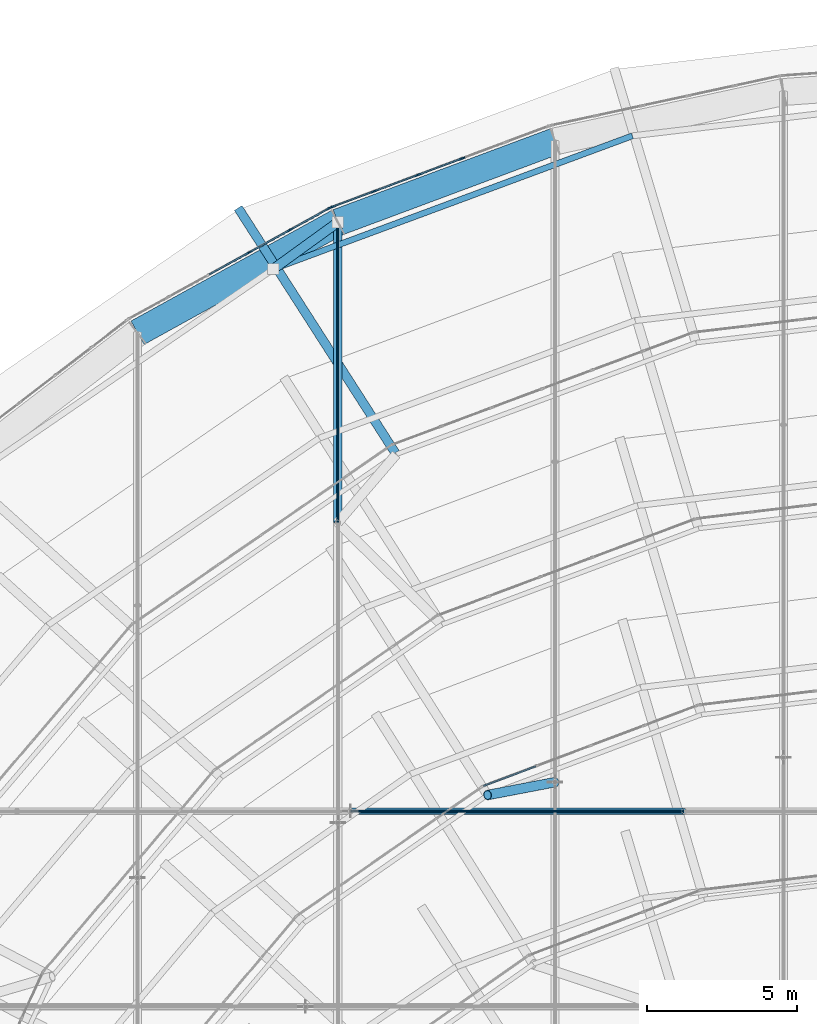
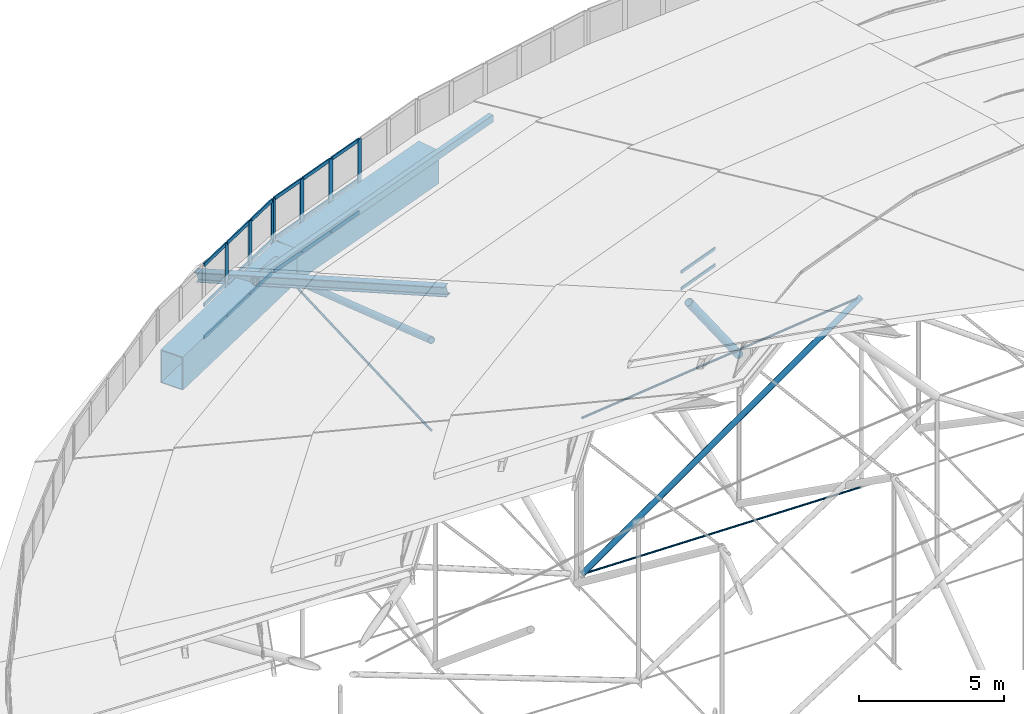
# One storey, part 106 of 173: 36 members, 2 beams, 3 elements without a shape of their own.
"""IFC4 building model written with IfcOpenShell, lengths in metres."""

from ifc_helpers import new_model, si_unit, direction, frame, origin, origin_2d, place, context, subcontext, project, spatial, rectangle, hollow_rectangle, circle, hollow_circle, i_section, extrude, material, material_profile, profile_set, type_object, element, aggregate, save


model = new_model("IFC4")

# Units and contexts
model_context = context("Model", 3, precision=1e-05, world=origin(), true_north=direction((0.0, 1.0)))
body_context = subcontext(model_context, "Body", "Model", "MODEL_VIEW")
ifc_project = project(units=[si_unit("LENGTHUNIT", "METRE"), si_unit("AREAUNIT", "SQUARE_METRE"), si_unit("VOLUMEUNIT", "CUBIC_METRE"), si_unit("PLANEANGLEUNIT", "RADIAN"), si_unit("MASSUNIT", "GRAM", prefix="KILO")], contexts=[model_context])

# Site, building, storey
site_placement = place(None, origin())
site = spatial("IfcSite", under=ifc_project, at=site_placement, CompositionType="ELEMENT")
building_placement = place(site_placement, origin())
building = spatial("IfcBuilding", under=site, at=building_placement, Name="Glasvene Arena", CompositionType="ELEMENT")
storey_placement = place(building_placement, frame((0.0, 0.0, 28.800048828125)))
storey = spatial("IfcBuildingStorey", under=building, at=storey_placement, Name="RF", CompositionType="ELEMENT", Elevation=28.800048828125)

# Beams
ifc_material_1 = material(Name="Steel S355J2", Category="steel")
ifc_material_profile_1 = material_profile(ifc_material_1, hollow_rectangle(XDim=0.89990234375, YDim=1.39990234375, WallThickness=0.034912109375, at=origin_2d()), Name="WBOX 900x1400x35")
ifc_profile_set_1 = profile_set([ifc_material_profile_1], Name="Steel S355J2")
beam_type = type_object("IfcBeamType", Name="BM-RING-BOX1400", PredefinedType="USERDEFINED", material=ifc_profile_set_1)
beam_1_placement = place(storey_placement, frame((76.54931640625, 115.797607421875, -0.699951171875), z_axis=(-0.937003141372, -0.349320931321, 0.0), x_axis=(0.349320931321, -0.937003141372, 0.0)))
element("IfcBeam", 1, at=beam_1_placement, inside=storey, type_object=beam_type, Name="Compression ring beam chord RB-13", ObjectType="RING BEAM", PredefinedType="USERDEFINED", context=body_context, shape_type="SweptSolid", body=[
    extrude(hollow_rectangle(XDim=0.89990234375, YDim=1.39990234375, WallThickness=0.034912109375, at=origin_2d()), origin(), (0.0, 0.0, 1.0), 7.736083984375),
])
beam_2_placement = place(storey_placement, frame((69.300537109375, 113.09521484375, -0.699951171875), z_axis=(-0.875663430497, -0.482921894813, 0.0), x_axis=(0.482921894813, -0.875663430497, 0.0)))
element("IfcBeam", 2, at=beam_2_placement, inside=storey, type_object=beam_type, Name="Compression ring beam chord RB-14", ObjectType="RING BEAM", PredefinedType="USERDEFINED", context=body_context, shape_type="SweptSolid", body=[
    extrude(hollow_rectangle(XDim=0.89990234375, YDim=1.39990234375, WallThickness=0.034912109375, at=origin_2d()), origin(), (0.0, 0.0, 1.0), 7.639892578125),
])

# Curtain wall, members
ifc_material_2 = material(Name="Low-emissivity laminated double glazing", Category="glass")
curtain_wall_type_1 = type_object("IfcCurtainWallType", Name="CW-DRUM-782x310", PredefinedType="USERDEFINED", material=ifc_material_2)
curtain_wall_1_placement = place(storey_placement, frame((76.379150390625, 116.320556640625, 0.0)))
curtain_wall_1 = element("IfcCurtainWall", 3, at=curtain_wall_1_placement, inside=storey, type_object=curtain_wall_type_1, Name="Crown compression-ring fascia curtain wall 13", ObjectType="CURTAIN WALL", PredefinedType="USERDEFINED")
ifc_material_3 = material(Name="Anodised architectural aluminium", Category="aluminium")
ifc_material_profile_2 = material_profile(ifc_material_3, rectangle(XDim=0.050048828125, YDim=0.199951171875, at=origin_2d()), Name="ALU MULLION 50x200")
ifc_profile_set_2 = profile_set([ifc_material_profile_2], Name="Anodised architectural aluminium")
member_type_1 = type_object("IfcMemberType", Name="CW-MUL-180", PredefinedType="MULLION", material=ifc_profile_set_2)
member_1_placement = place(storey_placement, frame((73.44775390625, 115.2265625, -1.380126953125), z_axis=(0.0, 0.0, 1.0), x_axis=(0.349682803856, -0.936868153311, 0.0)))
member_1 = element("IfcMember", 4, at=member_1_placement, type_object=member_type_1, Name="CW-078 mullion 3", PredefinedType="MULLION", context=body_context, shape_type="SweptSolid", body=[
    extrude(rectangle(XDim=0.050048828125, YDim=0.199951171875, at=origin_2d()), origin(), (0.0, 0.0, 1.0), 3.10009765625),
])
member_2_placement = place(storey_placement, frame((71.982177734375, 114.679443359375, -1.380126953125), z_axis=(0.0, 0.0, 1.0), x_axis=(0.349682803856, -0.936868153311, 0.0)))
member_2 = element("IfcMember", 5, at=member_2_placement, type_object=member_type_1, Name="CW-078 mullion 4", PredefinedType="MULLION", context=body_context, shape_type="SweptSolid", body=[
    extrude(rectangle(XDim=0.050048828125, YDim=0.199951171875, at=origin_2d()), origin(), (0.0, 0.0, 1.0), 3.10009765625),
])
member_3_placement = place(storey_placement, frame((70.5166015625, 114.13232421875, -1.380126953125), z_axis=(0.0, 0.0, 1.0), x_axis=(0.349682803856, -0.936868153311, 0.0)))
member_3 = element("IfcMember", 6, at=member_3_placement, type_object=member_type_1, Name="CW-078 mullion 5", PredefinedType="MULLION", context=body_context, shape_type="SweptSolid", body=[
    extrude(rectangle(XDim=0.050048828125, YDim=0.199951171875, at=origin_2d()), origin(), (0.0, 0.0, 1.0), 3.10009765625),
])
member_4_placement = place(storey_placement, frame((69.07421875, 113.593994140625, -1.380126953125), z_axis=(0.0, 0.0, 1.0), x_axis=(0.349682803856, -0.936868153311, 0.0)))
member_4 = element("IfcMember", 7, at=member_4_placement, type_object=member_type_1, Name="CW-078 mullion 6", PredefinedType="MULLION", context=body_context, shape_type="SweptSolid", body=[
    extrude(rectangle(XDim=0.050048828125, YDim=0.199951171875, at=origin_2d()), origin(), (0.0, 0.0, 1.0), 3.10009765625),
])

curtain_wall_type_2 = type_object("IfcCurtainWallType", Name="CW-DRUM-773x310", PredefinedType="USERDEFINED", material=ifc_material_2)
curtain_wall_2_placement = place(storey_placement, frame((69.05078125, 113.585205078125, 0.0)))
curtain_wall_2 = element("IfcCurtainWall", 8, at=curtain_wall_2_placement, inside=storey, type_object=curtain_wall_type_2, Name="Crown compression-ring fascia curtain wall 14", ObjectType="CURTAIN WALL", PredefinedType="USERDEFINED")
member_5_placement = place(storey_placement, frame((69.02880859375, 113.5732421875, -1.380126953125), z_axis=(0.0, 0.0, 1.0), x_axis=(0.483387319086, -0.875406591103, 0.0)))
member_5 = element("IfcMember", 9, at=member_5_placement, type_object=member_type_1, Name="CW-077 mullion 1", PredefinedType="MULLION", context=body_context, shape_type="SweptSolid", body=[
    extrude(rectangle(XDim=0.050048828125, YDim=0.199951171875, at=origin_2d()), origin(), (0.0, 0.0, 1.0), 3.10009765625),
])
member_6_placement = place(storey_placement, frame((67.6982421875, 112.83837890625, -1.380126953125), z_axis=(0.0, 0.0, 1.0), x_axis=(0.483387319086, -0.875406591103, 0.0)))
member_6 = element("IfcMember", 10, at=member_6_placement, type_object=member_type_1, Name="CW-077 mullion 2", PredefinedType="MULLION", context=body_context, shape_type="SweptSolid", body=[
    extrude(rectangle(XDim=0.050048828125, YDim=0.199951171875, at=origin_2d()), origin(), (0.0, 0.0, 1.0), 3.10009765625),
])
member_7_placement = place(storey_placement, frame((66.345458984375, 112.091552734375, -1.380126953125), z_axis=(0.0, 0.0, 1.0), x_axis=(0.483387319086, -0.875406591103, 0.0)))
member_7 = element("IfcMember", 11, at=member_7_placement, type_object=member_type_1, Name="CW-077 mullion 3", PredefinedType="MULLION", context=body_context, shape_type="SweptSolid", body=[
    extrude(rectangle(XDim=0.050048828125, YDim=0.199951171875, at=origin_2d()), origin(), (0.0, 0.0, 1.0), 3.10009765625),
])

curtain_wall_type_3 = type_object("IfcCurtainWallType", Name="CW-PET3-772x75", PredefinedType="USERDEFINED", material=ifc_material_2)
curtain_wall_3_placement = place(storey_placement, frame((81.348388671875, 96.97314453125, 0.0)))
curtain_wall_3 = element("IfcCurtainWall", 12, at=curtain_wall_3_placement, inside=storey, type_object=curtain_wall_type_3, Name="Petal ring 3-4 clerestory curtain wall 08", ObjectType="CURTAIN WALL", PredefinedType="USERDEFINED")
ifc_material_profile_3 = material_profile(ifc_material_3, rectangle(XDim=0.050048828125, YDim=0.1201171875, at=origin_2d()), Name="ALU TRANSOM 50x120")
ifc_profile_set_3 = profile_set([ifc_material_profile_3], Name="Anodised architectural aluminium")
member_type_2 = type_object("IfcMemberType", Name="CW-TRN-120", PredefinedType="USERDEFINED", material=ifc_profile_set_3)
member_8_placement = place(storey_placement, frame((75.907470703125, 94.926513671875, 7.85498046875), z_axis=(-0.935933620946, -0.352176457452, 0.0), x_axis=(0.352176457452, -0.935933620946, 0.0)))
member_8 = element("IfcMember", 13, at=member_8_placement, type_object=member_type_2, Name="CW-097 transom 4.1", ObjectType="TRANSOM", PredefinedType="USERDEFINED", context=body_context, shape_type="SweptSolid", body=[
    extrude(rectangle(XDim=0.050048828125, YDim=0.1201171875, at=origin_2d()), origin(), (0.0, 0.0, 1.0), 1.8544921875),
])
member_9_placement = place(storey_placement, frame((75.907470703125, 94.926513671875, 8.554931640625), z_axis=(-0.935933620946, -0.352176457452, 0.0), x_axis=(0.352176457452, -0.935933620946, 0.0)))
member_9 = element("IfcMember", 14, at=member_9_placement, type_object=member_type_2, Name="CW-097 transom 4.2", ObjectType="TRANSOM", PredefinedType="USERDEFINED", context=body_context, shape_type="SweptSolid", body=[
    extrude(rectangle(XDim=0.050048828125, YDim=0.1201171875, at=origin_2d()), origin(), (0.0, 0.0, 1.0), 1.8544921875),
])
aggregate(curtain_wall_3, [member_8, member_9])

# Member
ifc_material_profile_4 = material_profile(ifc_material_3, rectangle(XDim=0.050048828125, YDim=0.14990234375, at=origin_2d()), Name="ALU TRANSOM 50x150")
ifc_profile_set_4 = profile_set([ifc_material_profile_4], Name="Anodised architectural aluminium")
member_type_3 = type_object("IfcMemberType", Name="CW-TRN-150", PredefinedType="USERDEFINED", material=ifc_profile_set_4)
member_10_placement = place(storey_placement, frame((73.42431640625, 115.2177734375, -1.35498046875), z_axis=(-0.93686475649, -0.349691904462, 0.0), x_axis=(0.349691904462, -0.93686475649, 0.0)))
member_10 = element("IfcMember", 15, at=member_10_placement, type_object=member_type_3, Name="CW-078 transom 3.1", ObjectType="TRANSOM", PredefinedType="USERDEFINED", context=body_context, shape_type="SweptSolid", body=[
    extrude(rectangle(XDim=0.050048828125, YDim=0.14990234375, at=origin_2d()), origin(), (0.0, 0.0, 1.0), 1.514404296875),
])

member_11_placement = place(storey_placement, frame((73.42431640625, 115.2177734375, 0.02001953125), z_axis=(-0.93686475649, -0.349691904462, 0.0), x_axis=(0.349691904462, -0.93686475649, 0.0)))
member_11 = element("IfcMember", 16, at=member_11_placement, type_object=member_type_3, Name="CW-078 transom 3.2", ObjectType="TRANSOM", PredefinedType="USERDEFINED", context=body_context, shape_type="SweptSolid", body=[
    extrude(rectangle(XDim=0.050048828125, YDim=0.14990234375, at=origin_2d()), origin(), (0.0, 0.0, 1.0), 1.514404296875),
])

member_12_placement = place(storey_placement, frame((73.42431640625, 115.2177734375, 1.695068359375), z_axis=(-0.93686475649, -0.349691904462, 0.0), x_axis=(0.349691904462, -0.93686475649, 0.0)))
member_12 = element("IfcMember", 17, at=member_12_placement, type_object=member_type_3, Name="CW-078 transom 3.3", ObjectType="TRANSOM", PredefinedType="USERDEFINED", context=body_context, shape_type="SweptSolid", body=[
    extrude(rectangle(XDim=0.050048828125, YDim=0.14990234375, at=origin_2d()), origin(), (0.0, 0.0, 1.0), 1.514404296875),
])

member_13_placement = place(storey_placement, frame((71.958740234375, 114.670654296875, -1.35498046875), z_axis=(-0.936884467043, -0.349639093086, 0.0), x_axis=(0.349639093086, -0.936884467043, 0.0)))
member_13 = element("IfcMember", 18, at=member_13_placement, type_object=member_type_3, Name="CW-078 transom 4.1", ObjectType="TRANSOM", PredefinedType="USERDEFINED", context=body_context, shape_type="SweptSolid", body=[
    extrude(rectangle(XDim=0.050048828125, YDim=0.14990234375, at=origin_2d()), origin(), (0.0, 0.0, 1.0), 1.5146484375),
])

member_14_placement = place(storey_placement, frame((71.958740234375, 114.670654296875, 0.02001953125), z_axis=(-0.936884467043, -0.349639093086, 0.0), x_axis=(0.349639093086, -0.936884467043, 0.0)))
member_14 = element("IfcMember", 19, at=member_14_placement, type_object=member_type_3, Name="CW-078 transom 4.2", ObjectType="TRANSOM", PredefinedType="USERDEFINED", context=body_context, shape_type="SweptSolid", body=[
    extrude(rectangle(XDim=0.050048828125, YDim=0.14990234375, at=origin_2d()), origin(), (0.0, 0.0, 1.0), 1.5146484375),
])

member_15_placement = place(storey_placement, frame((71.958740234375, 114.670654296875, 1.695068359375), z_axis=(-0.936884467043, -0.349639093086, 0.0), x_axis=(0.349639093086, -0.936884467043, 0.0)))
member_15 = element("IfcMember", 20, at=member_15_placement, type_object=member_type_3, Name="CW-078 transom 4.3", ObjectType="TRANSOM", PredefinedType="USERDEFINED", context=body_context, shape_type="SweptSolid", body=[
    extrude(rectangle(XDim=0.050048828125, YDim=0.14990234375, at=origin_2d()), origin(), (0.0, 0.0, 1.0), 1.5146484375),
])

member_16_placement = place(storey_placement, frame((70.4931640625, 114.12353515625, -1.35498046875), z_axis=(-0.936893778627, -0.349614140975, 0.0), x_axis=(0.349614140975, -0.936893778627, 0.0)))
member_16 = element("IfcMember", 21, at=member_16_placement, type_object=member_type_3, Name="CW-078 transom 5.1", ObjectType="TRANSOM", PredefinedType="USERDEFINED", context=body_context, shape_type="SweptSolid", body=[
    extrude(rectangle(XDim=0.050048828125, YDim=0.14990234375, at=origin_2d()), origin(), (0.0, 0.0, 1.0), 1.489501953125),
])

member_17_placement = place(storey_placement, frame((70.4931640625, 114.12353515625, 0.02001953125), z_axis=(-0.936893778627, -0.349614140975, 0.0), x_axis=(0.349614140975, -0.936893778627, 0.0)))
member_17 = element("IfcMember", 22, at=member_17_placement, type_object=member_type_3, Name="CW-078 transom 5.2", ObjectType="TRANSOM", PredefinedType="USERDEFINED", context=body_context, shape_type="SweptSolid", body=[
    extrude(rectangle(XDim=0.050048828125, YDim=0.14990234375, at=origin_2d()), origin(), (0.0, 0.0, 1.0), 1.489501953125),
])

member_18_placement = place(storey_placement, frame((70.4931640625, 114.12353515625, 1.695068359375), z_axis=(-0.936893778627, -0.349614140975, 0.0), x_axis=(0.349614140975, -0.936893778627, 0.0)))
member_18 = element("IfcMember", 23, at=member_18_placement, type_object=member_type_3, Name="CW-078 transom 5.3", ObjectType="TRANSOM", PredefinedType="USERDEFINED", context=body_context, shape_type="SweptSolid", body=[
    extrude(rectangle(XDim=0.050048828125, YDim=0.14990234375, at=origin_2d()), origin(), (0.0, 0.0, 1.0), 1.489501953125),
])

aggregate(curtain_wall_1, [member_1, member_2, member_3, member_4, member_10, member_11, member_12, member_13, member_14, member_15, member_16, member_17, member_18])

member_19_placement = place(storey_placement, frame((69.007080078125, 113.56103515625, -1.35498046875), z_axis=(-0.875485629415, -0.483244154324, 0.0), x_axis=(0.483244154324, -0.875485629415, 0.0)))
member_19 = element("IfcMember", 24, at=member_19_placement, type_object=member_type_3, Name="CW-077 transom 1.1", ObjectType="TRANSOM", PredefinedType="USERDEFINED", context=body_context, shape_type="SweptSolid", body=[
    extrude(rectangle(XDim=0.050048828125, YDim=0.14990234375, at=origin_2d()), origin(), (0.0, 0.0, 1.0), 1.47021484375),
])

member_20_placement = place(storey_placement, frame((69.007080078125, 113.56103515625, 0.02001953125), z_axis=(-0.875485629415, -0.483244154324, 0.0), x_axis=(0.483244154324, -0.875485629415, 0.0)))
member_20 = element("IfcMember", 25, at=member_20_placement, type_object=member_type_3, Name="CW-077 transom 1.2", ObjectType="TRANSOM", PredefinedType="USERDEFINED", context=body_context, shape_type="SweptSolid", body=[
    extrude(rectangle(XDim=0.050048828125, YDim=0.14990234375, at=origin_2d()), origin(), (0.0, 0.0, 1.0), 1.47021484375),
])

member_21_placement = place(storey_placement, frame((69.007080078125, 113.56103515625, 1.695068359375), z_axis=(-0.875485629415, -0.483244154324, 0.0), x_axis=(0.483244154324, -0.875485629415, 0.0)))
member_21 = element("IfcMember", 26, at=member_21_placement, type_object=member_type_3, Name="CW-077 transom 1.3", ObjectType="TRANSOM", PredefinedType="USERDEFINED", context=body_context, shape_type="SweptSolid", body=[
    extrude(rectangle(XDim=0.050048828125, YDim=0.14990234375, at=origin_2d()), origin(), (0.0, 0.0, 1.0), 1.47021484375),
])

member_22_placement = place(storey_placement, frame((67.67626953125, 112.826416015625, -1.35498046875), z_axis=(-0.87535611162, -0.483478725332, 0.0), x_axis=(0.483478725332, -0.87535611162, 0.0)))
member_22 = element("IfcMember", 27, at=member_22_placement, type_object=member_type_3, Name="CW-077 transom 2.1", ObjectType="TRANSOM", PredefinedType="USERDEFINED", context=body_context, shape_type="SweptSolid", body=[
    extrude(rectangle(XDim=0.050048828125, YDim=0.14990234375, at=origin_2d()), origin(), (0.0, 0.0, 1.0), 1.4951171875),
])

member_23_placement = place(storey_placement, frame((67.67626953125, 112.826416015625, 0.02001953125), z_axis=(-0.87535611162, -0.483478725332, 0.0), x_axis=(0.483478725332, -0.87535611162, 0.0)))
member_23 = element("IfcMember", 28, at=member_23_placement, type_object=member_type_3, Name="CW-077 transom 2.2", ObjectType="TRANSOM", PredefinedType="USERDEFINED", context=body_context, shape_type="SweptSolid", body=[
    extrude(rectangle(XDim=0.050048828125, YDim=0.14990234375, at=origin_2d()), origin(), (0.0, 0.0, 1.0), 1.4951171875),
])

member_24_placement = place(storey_placement, frame((67.67626953125, 112.826416015625, 1.695068359375), z_axis=(-0.87535611162, -0.483478725332, 0.0), x_axis=(0.483478725332, -0.87535611162, 0.0)))
member_24 = element("IfcMember", 29, at=member_24_placement, type_object=member_type_3, Name="CW-077 transom 2.3", ObjectType="TRANSOM", PredefinedType="USERDEFINED", context=body_context, shape_type="SweptSolid", body=[
    extrude(rectangle(XDim=0.050048828125, YDim=0.14990234375, at=origin_2d()), origin(), (0.0, 0.0, 1.0), 1.4951171875),
])

member_25_placement = place(storey_placement, frame((66.323486328125, 112.079345703125, -1.35498046875), z_axis=(-0.8754252118, -0.483353595771, 0.0), x_axis=(0.483353595771, -0.8754252118, 0.0)))
member_25 = element("IfcMember", 30, at=member_25_placement, type_object=member_type_3, Name="CW-077 transom 3.1", ObjectType="TRANSOM", PredefinedType="USERDEFINED", context=body_context, shape_type="SweptSolid", body=[
    extrude(rectangle(XDim=0.050048828125, YDim=0.14990234375, at=origin_2d()), origin(), (0.0, 0.0, 1.0), 1.4951171875),
])

member_26_placement = place(storey_placement, frame((66.323486328125, 112.079345703125, 0.02001953125), z_axis=(-0.8754252118, -0.483353595771, 0.0), x_axis=(0.483353595771, -0.8754252118, 0.0)))
member_26 = element("IfcMember", 31, at=member_26_placement, type_object=member_type_3, Name="CW-077 transom 3.2", ObjectType="TRANSOM", PredefinedType="USERDEFINED", context=body_context, shape_type="SweptSolid", body=[
    extrude(rectangle(XDim=0.050048828125, YDim=0.14990234375, at=origin_2d()), origin(), (0.0, 0.0, 1.0), 1.4951171875),
])

member_27_placement = place(storey_placement, frame((66.323486328125, 112.079345703125, 1.695068359375), z_axis=(-0.8754252118, -0.483353595771, 0.0), x_axis=(0.483353595771, -0.8754252118, 0.0)))
member_27 = element("IfcMember", 32, at=member_27_placement, type_object=member_type_3, Name="CW-077 transom 3.3", ObjectType="TRANSOM", PredefinedType="USERDEFINED", context=body_context, shape_type="SweptSolid", body=[
    extrude(rectangle(XDim=0.050048828125, YDim=0.14990234375, at=origin_2d()), origin(), (0.0, 0.0, 1.0), 1.4951171875),
])

aggregate(curtain_wall_2, [member_5, member_6, member_7, member_19, member_20, member_21, member_22, member_23, member_24, member_25, member_26, member_27])

# Members
ifc_material_4 = material(Name="High-strength steel spiral strand S460", Category="steel")
ifc_material_profile_5 = material_profile(ifc_material_4, circle(Radius=0.03759765625, at=origin_2d()), Name="LCSS D75")
ifc_profile_set_5 = profile_set([ifc_material_profile_5], Name="High-strength steel spiral strand S460")
member_type_4 = type_object("IfcMemberType", Name="MB-CABLE-75", PredefinedType="USERDEFINED", material=ifc_profile_set_5)
member_28_placement = place(storey_placement, frame((69.724853515625, 93.4296875, -2.112548828125), z_axis=(0.999812725831, 0.0, -0.019352345227), x_axis=(0.0, 1.0, 0.0)))
element("IfcMember", 33, at=member_28_placement, inside=storey, type_object=member_type_4, Name="Lower stabilization roof cable EW07-03", ObjectType="ROOF CABLE", PredefinedType="USERDEFINED", context=body_context, shape_type="SweptSolid", body=[
    extrude(circle(Radius=0.03759765625, at=origin_2d()), origin(), (0.0, 0.0, 1.0), 11.1396484375),
])
ifc_material_profile_6 = material_profile(ifc_material_4, circle(Radius=0.044921875, at=origin_2d()), Name="LCSS D90")
ifc_profile_set_6 = profile_set([ifc_material_profile_6], Name="High-strength steel spiral strand S460")
member_type_5 = type_object("IfcMemberType", Name="MB-CABLE-90", PredefinedType="USERDEFINED", material=ifc_profile_set_6)
member_29_placement = place(storey_placement, frame((69.300537109375, 103.071533203125, -1.753173828125), z_axis=(0.0, 0.999067829779, 0.043167945296), x_axis=(-1.0, 0.0, 0.0)))
element("IfcMember", 34, at=member_29_placement, inside=storey, type_object=member_type_5, Name="Lower stabilization roof cable NS08-08", ObjectType="ROOF CABLE", PredefinedType="USERDEFINED", context=body_context, shape_type="SweptSolid", body=[
    extrude(circle(Radius=0.044921875, at=origin_2d()), origin(), (0.0, 0.0, 1.0), 10.032958984375),
])
member_30_placement = place(storey_placement, frame((69.724853515625, 93.4296875, 4.472900390625), z_axis=(0.994077762208, 0.0, 0.108671075651), x_axis=(0.0, 1.0, 0.0)))
element("IfcMember", 35, at=member_30_placement, inside=storey, type_object=member_type_5, Name="Upper lens roof cable EW07-03", ObjectType="ROOF CABLE", PredefinedType="USERDEFINED", context=body_context, shape_type="SweptSolid", body=[
    extrude(circle(Radius=0.044921875, at=origin_2d()), origin(), (0.0, 0.0, 1.0), 11.203857421875),
])
ifc_material_profile_7 = material_profile(ifc_material_1, i_section(OverallWidth=0.300048828125, OverallDepth=0.39990234375, WebThickness=0.013427734375, FlangeThickness=0.02392578125, FilletRadius=0.027099609375, at=origin_2d()), Name="HEB 400")
ifc_profile_set_7 = profile_set([ifc_material_profile_7], Name="Steel S355J2")
member_type_6 = type_object("IfcMemberType", Name="MB-CHORD-HEB400", PredefinedType="CHORD", material=ifc_profile_set_7)
member_31_placement = place(storey_placement, frame((66.0, 113.530029296875, -0.400146484375), z_axis=(0.522944416595, -0.815179491662, 0.24902115076), x_axis=(0.841694512894, 0.539954023009, 0.0)))
element("IfcMember", 36, at=member_31_placement, inside=storey, type_object=member_type_6, Name="Petal ring 1 radial rib 09", PredefinedType="CHORD", context=body_context, shape_type="SweptSolid", body=[
    extrude(i_section(OverallWidth=0.300048828125, OverallDepth=0.39990234375, WebThickness=0.013427734375, FlangeThickness=0.02392578125, FilletRadius=0.027099609375, at=origin_2d()), origin(), (0.0, 0.0, 1.0), 10.039306640625),
])
ifc_material_profile_8 = material_profile(ifc_material_1, hollow_circle(Radius=0.161865234375, WallThickness=0.01611328125, at=origin_2d()), Name="CHS 323.9x16.0")
ifc_profile_set_8 = profile_set([ifc_material_profile_8], Name="Steel S355J2")
member_type_7 = type_object("IfcMemberType", Name="MB-POST-CHS324", PredefinedType="BRACE", material=ifc_profile_set_8)
member_32_placement = place(storey_placement, frame((69.300537109375, 113.09521484375, -0.300048828125), z_axis=(-0.797710559684, -0.577568163204, 0.173415339062), x_axis=(0.586453651283, -0.809982786791, 0.0)))
element("IfcMember", 37, at=member_32_placement, inside=storey, type_object=member_type_7, Name="Petal ring 1 outer support post 09", PredefinedType="BRACE", context=body_context, shape_type="SweptSolid", body=[
    extrude(hollow_circle(Radius=0.161865234375, WallThickness=0.01611328125, at=origin_2d()), origin(), (0.0, 0.0, 1.0), 2.696044921875),
])
member_33_placement = place(storey_placement, frame((76.54931640625, 94.398681640625, 4.1669921875), z_axis=(-0.564022831604, -0.107747767679, 0.81869937339), x_axis=(0.187641186342, -0.982237641912, 0.0)))
element("IfcMember", 38, at=member_33_placement, inside=storey, type_object=member_type_7, Name="Petal ring 3 ridge support post 09", PredefinedType="BRACE", context=body_context, shape_type="SweptSolid", body=[
    extrude(hollow_circle(Radius=0.161865234375, WallThickness=0.01611328125, at=origin_2d()), origin(), (0.0, 0.0, 1.0), 3.98779296875),
])
ifc_material_profile_9 = material_profile(ifc_material_1, hollow_rectangle(XDim=0.199951171875, YDim=0.300048828125, WallThickness=0.012451171875, at=origin_2d()), Name="RHS 300x200x12.5")
ifc_profile_set_9 = profile_set([ifc_material_profile_9], Name="Steel S355J2")
member_type_8 = type_object("IfcMemberType", Name="MB-PURLIN-RHS300", PredefinedType="PURLIN", material=ifc_profile_set_9)
member_34_placement = place(storey_placement, frame((79.13671875, 115.983642578125, 0.16748046875), z_axis=(-0.937595944785, -0.347726680488, 0.0), x_axis=(0.347726680488, -0.937595944785, 0.0)))
element("IfcMember", 39, at=member_34_placement, inside=storey, type_object=member_type_8, Name="Petal ring 1 outer purlin 08", PredefinedType="PURLIN", context=body_context, shape_type="SweptSolid", body=[
    extrude(hollow_rectangle(XDim=0.199951171875, YDim=0.300048828125, WallThickness=0.012451171875, at=origin_2d()), origin(), (0.0, 0.0, 1.0), 12.78466796875),
])
ifc_material_profile_10 = material_profile(ifc_material_1, hollow_circle(Radius=0.109619140625, WallThickness=0.010009765625, at=origin_2d()), Name="CHS 219.1x10.0")
ifc_profile_set_10 = profile_set([ifc_material_profile_10], Name="Steel S355J2")
member_type_9 = type_object("IfcMemberType", Name="MB-WEB-CHS219", PredefinedType="BRACE", material=ifc_profile_set_10)
member_35_placement = place(storey_placement, frame((69.724853515625, 93.4296875, -2.112548828125), z_axis=(0.818998222462, 0.0, 0.573796054015), x_axis=(0.0, 1.0, 0.0)))
element("IfcMember", 40, at=member_35_placement, inside=storey, type_object=member_type_9, Name="Cable-truss diagonal web strut EW07-03", PredefinedType="BRACE", context=body_context, shape_type="SweptSolid", body=[
    extrude(hollow_circle(Radius=0.109619140625, WallThickness=0.010009765625, at=origin_2d()), origin(), (0.0, 0.0, 1.0), 13.598876953125),
])
ifc_material_profile_11 = material_profile(ifc_material_1, hollow_circle(Radius=0.136474609375, WallThickness=0.012451171875, at=origin_2d()), Name="CHS 273.0x12.5")
ifc_profile_set_11 = profile_set([ifc_material_profile_11], Name="Steel S355J2")
member_type_10 = type_object("IfcMemberType", Name="MB-WEB-CHS273", PredefinedType="BRACE", material=ifc_profile_set_11)
member_36_placement = place(storey_placement, frame((69.300537109375, 103.071533203125, 2.06103515625), z_axis=(0.0, 0.947546370632, -0.319618327858), x_axis=(-1.0, 0.0, 0.0)))
element("IfcMember", 41, at=member_36_placement, inside=storey, type_object=member_type_10, Name="Cable-truss diagonal web strut NS08-08", PredefinedType="BRACE", context=body_context, shape_type="SweptSolid", body=[
    extrude(hollow_circle(Radius=0.136474609375, WallThickness=0.012451171875, at=origin_2d()), origin(), (0.0, 0.0, 1.0), 10.57861328125),
])

save(model, "model.ifc")
